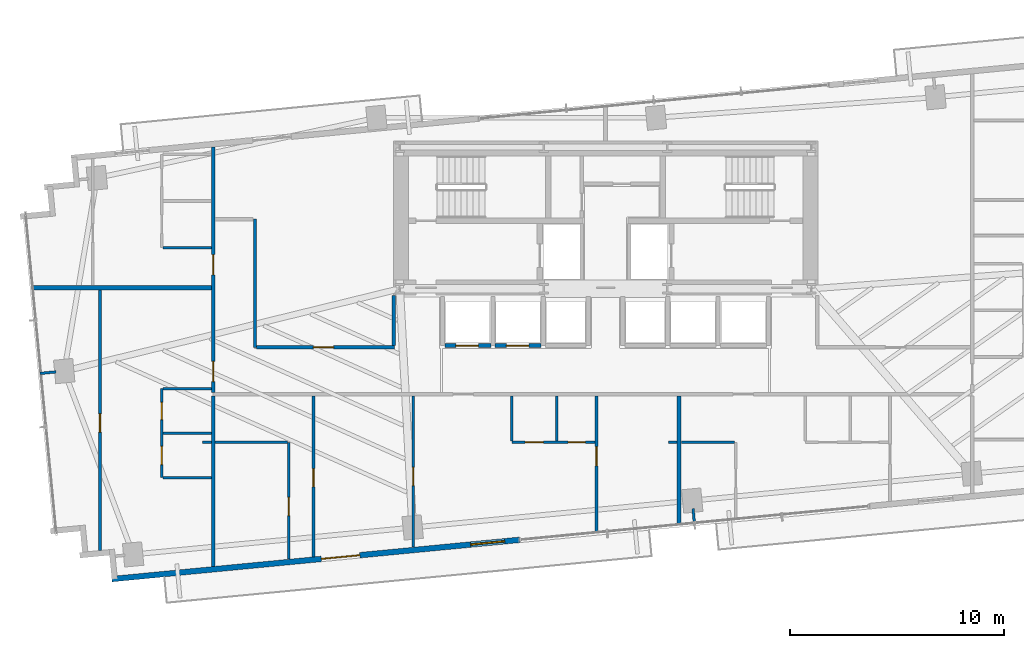
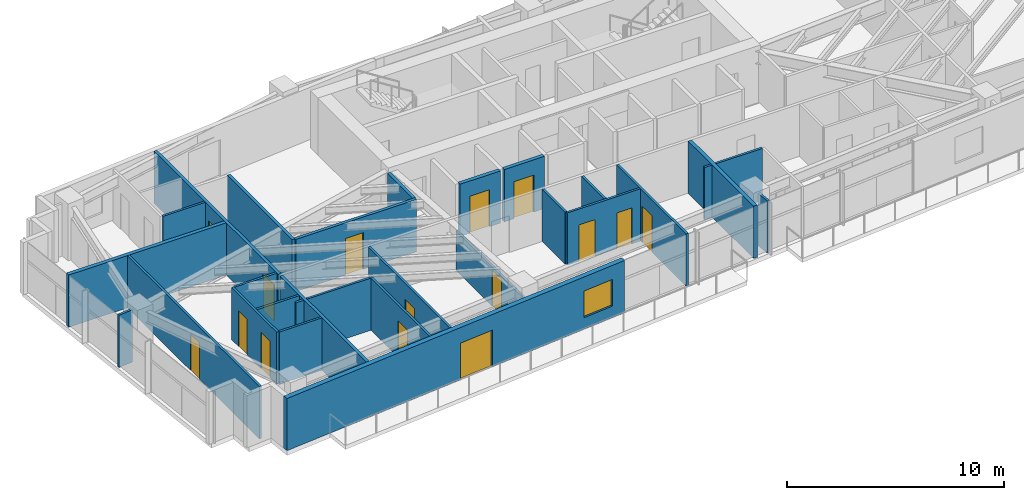
# One storey, part 21 of 27: 29 walls, 15 doors, 1 window, 16 openings.
"""IFC4 building model written with IfcOpenShell, lengths in metres."""

from ifc_helpers import new_model, si_unit, direction, frame, frame_2d, origin, place, context, subcontext, project, spatial, rectangle, extrude, source, transform, mapped, material, layer, layer_set, type_object, type_shapes, element, fill, save


model = new_model("IFC4")

# Units and contexts
model_context = context("Model", 3, precision=1e-05, world=origin(), true_north=direction((0.0, 1.0)))
body_context = subcontext(model_context, "Body", "Model", "MODEL_VIEW")
ifc_project = project(units=[si_unit("LENGTHUNIT", "METRE"), si_unit("AREAUNIT", "SQUARE_METRE"), si_unit("VOLUMEUNIT", "CUBIC_METRE"), si_unit("PLANEANGLEUNIT", "RADIAN"), si_unit("MASSUNIT", "GRAM", prefix="KILO")], contexts=[model_context])

# Site, building, storey
site_placement = place(None, origin())
site = spatial("IfcSite", under=ifc_project, at=site_placement, CompositionType="ELEMENT")
building_placement = place(site_placement, origin())
building = spatial("IfcBuilding", under=site, at=building_placement, Name="Astriad Promenade Condominiums", CompositionType="ELEMENT")
storey_placement = place(building_placement, frame((0.0, 0.0, 90.60009765625)))
storey = spatial("IfcBuildingStorey", under=building, at=storey_placement, Name="L25", CompositionType="ELEMENT", Elevation=90.60009765625)

# Wall
ifc_material_1 = material(Name="Fire-Rated Gypsum Partition")
ifc_layer_1 = layer(ifc_material_1, 0.159912109375)
ifc_layer_set_1 = layer_set([ifc_layer_1], Name="Fire-Rated Gypsum Partition")
wall_type_1 = type_object("IfcWallType", Name="WALL-CORR-160", PredefinedType="PARTITIONING", material=ifc_layer_set_1)
wall_1_placement = place(storey_placement, frame((17.699951171875, 4.44677734375, 0.0), z_axis=(0.0, 0.0, 1.0), x_axis=(0.0, 1.0, 0.0)))
element("IfcWall", 1, at=wall_1_placement, inside=storey, type_object=wall_type_1, Name="PT-COR-W-L25", PredefinedType="PARTITIONING", context=body_context, shape_type="SweptSolid", body=[
    extrude(rectangle(XDim=7.961181640625, YDim=0.159912109375, at=frame_2d((3.98046875, 0.0))), origin(), (0.0, 0.0, 1.0), 2.93994140625),
])

# Wall, openings, doors
wall_2_placement = place(storey_placement, frame((17.699951171875, 12.572021484375, 0.0), z_axis=(0.0, 0.0, 1.0), x_axis=(0.0, 1.0, 0.0)))
wall_2 = element("IfcWall", 2, at=wall_2_placement, inside=storey, type_object=wall_type_1, Name="PT-COR-W-L25-S2", PredefinedType="PARTITIONING", context=body_context, shape_type="SweptSolid", body=[
    extrude(rectangle(XDim=11.440673828125, YDim=0.159912109375, at=frame_2d((5.72021484375, 0.0))), origin(), (0.0, 0.0, 1.0), 2.93994140625),
])
opening_1_placement = place(wall_2_placement, frame((0.492919921875, 0.0, 0.0)))
opening_1 = element("IfcOpeningElement", 3, at=opening_1_placement, cuts=wall_2, Name="Opening FD60-APT-095", PredefinedType="OPENING", context=body_context, shape_type="SweptSolid", body=[
    extrude(rectangle(XDim=0.949951171875, YDim=2.06005859375, at=frame_2d((0.47509765625, 1.030029296875))), frame((0.0, 0.08984375, 0.0), z_axis=(0.0, -1.0, 0.0), x_axis=(1.0, 0.0, 0.0)), (0.0, 0.0, 1.0), 0.179931640625),
])
opening_2_placement = place(wall_2_placement, frame((5.472900390625, 0.0, 0.0)))
opening_2 = element("IfcOpeningElement", 4, at=opening_2_placement, cuts=wall_2, Name="Opening FD60-APT-095", PredefinedType="OPENING", context=body_context, shape_type="SweptSolid", body=[
    extrude(rectangle(XDim=0.949951171875, YDim=2.06005859375, at=frame_2d((0.47509765625, 1.030029296875))), frame((0.0, 0.08984375, 0.0), z_axis=(0.0, -1.0, 0.0), x_axis=(1.0, 0.0, 0.0)), (0.0, 0.0, 1.0), 0.179931640625),
])
ifc_material_2 = material(Name="Solid-Core Acoustic Timber Residence Entry Door", Category="wood")
door_type_1 = type_object("IfcDoorType", Name="FD60-APT-095", OperationType="NOTDEFINED", PredefinedType="DOOR", material=ifc_material_2)
shared_shape_1 = source(origin(), body_context, "Body", "SweptSolid", [
    extrude(rectangle(XDim=0.949951171875, YDim=2.06005859375, at=frame_2d((0.47509765625, 1.030029296875))), frame((0.0, 0.02490234375, 0.0), z_axis=(0.0, -1.0, 0.0), x_axis=(1.0, 0.0, 0.0)), (0.0, 0.0, 1.0), 0.050048828125),
])
type_shapes(door_type_1, [shared_shape_1])
door_1_placement = place(opening_1_placement, origin())
door_1 = element("IfcDoor", 5, at=door_1_placement, inside=storey, type_object=door_type_1, Name="D-ENT-L25-W1", OperationType="SINGLE_SWING_RIGHT", OverallHeight=2.06005859375, OverallWidth=0.949951171875, PredefinedType="DOOR", context=body_context, shape_type="MappedRepresentation", body=[
    mapped(shared_shape_1, transform((0.0, 0.0, 0.0), scale=1.0)),
])
fill(opening_1, door_1)
door_2_placement = place(opening_2_placement, origin())
door_2 = element("IfcDoor", 6, at=door_2_placement, inside=storey, type_object=door_type_1, Name="D-ENT-L25-W2", OperationType="SINGLE_SWING_RIGHT", OverallHeight=2.06005859375, OverallWidth=0.949951171875, PredefinedType="DOOR", context=body_context, shape_type="MappedRepresentation", body=[
    mapped(shared_shape_1, transform((0.0, 0.0, 0.0), scale=1.0)),
])
fill(opening_2, door_2)

# Wall
wall_3_placement = place(storey_placement, frame((19.64990234375, 14.659912109375, 0.0), z_axis=(0.0, 0.0, 1.0), x_axis=(0.0, 1.0, 0.0)))
element("IfcWall", 7, at=wall_3_placement, inside=storey, type_object=wall_type_1, Name="PT-WALC-E-L25", PredefinedType="PARTITIONING", context=body_context, shape_type="SweptSolid", body=[
    extrude(rectangle(XDim=5.989990234375, YDim=0.159912109375, at=frame_2d((2.9951171875, 0.0))), origin(), (0.0, 0.0, 1.0), 2.93994140625),
])

# Wall, opening, door
wall_4_placement = place(storey_placement, frame((19.73193359375, 14.679931640625, 0.0), z_axis=(0.0, 0.0, 1.0), x_axis=(1.0, 0.0, 0.0)))
wall_4 = element("IfcWall", 8, at=wall_4_placement, inside=storey, type_object=wall_type_1, Name="PT-FLK-NW-L25", PredefinedType="PARTITIONING", context=body_context, shape_type="SweptSolid", body=[
    extrude(rectangle(XDim=6.427978515625, YDim=0.159912109375, at=frame_2d((3.2138671875, 0.0))), origin(), (0.0, 0.0, 1.0), 2.93994140625),
])
opening_3_placement = place(wall_4_placement, frame((2.637939453125, 0.0, 0.0)))
opening_3 = element("IfcOpeningElement", 9, at=opening_3_placement, cuts=wall_4, Name="Opening FD60-APT-095", PredefinedType="OPENING", context=body_context, shape_type="SweptSolid", body=[
    extrude(rectangle(XDim=0.949951171875, YDim=2.06005859375, at=frame_2d((0.47509765625, 1.030029296875))), frame((0.0, 0.08984375, 0.0), z_axis=(0.0, -1.0, 0.0), x_axis=(1.0, 0.0, 0.0)), (0.0, 0.0, 1.0), 0.179931640625),
])
door_3_placement = place(opening_3_placement, origin())
door_3 = element("IfcDoor", 10, at=door_3_placement, inside=storey, type_object=door_type_1, Name="D-NWA-L25", OperationType="SINGLE_SWING_RIGHT", OverallHeight=2.06005859375, OverallWidth=0.949951171875, PredefinedType="DOOR", context=body_context, shape_type="MappedRepresentation", body=[
    mapped(shared_shape_1, transform((0.0, 0.0, 0.0), scale=1.0)),
])
fill(opening_3, door_3)

# Walls
wall_5_placement = place(storey_placement, frame((26.1201171875, 14.761962890625, 0.0), z_axis=(0.0, 0.0, 1.0), x_axis=(0.0, 1.0, 0.0)))
element("IfcWall", 11, at=wall_5_placement, inside=storey, type_object=wall_type_1, Name="PT-WSPUR-W-L25", PredefinedType="PARTITIONING", context=body_context, shape_type="SweptSolid", body=[
    extrude(rectangle(XDim=2.3359375, YDim=0.159912109375, at=frame_2d((1.16796875, 0.0))), origin(), (0.0, 0.0, 1.0), 2.93994140625),
])
ifc_material_3 = material(Name="Acoustic Double-Stud Gypsum Partition")
ifc_layer_2 = layer(ifc_material_3, 0.199951171875)
ifc_layer_set_2 = layer_set([ifc_layer_2], Name="Acoustic Double-Stud Gypsum Partition")
wall_type_2 = type_object("IfcWallType", Name="WALL-DEMISING-200", PredefinedType="PARTITIONING", material=ifc_layer_set_2)
wall_6_placement = place(storey_placement, frame((39.430908203125, 6.356201171875, 0.0), z_axis=(0.0, 0.0, 1.0), x_axis=(0.0, 1.0, 0.0)))
element("IfcWall", 12, at=wall_6_placement, inside=storey, type_object=wall_type_2, Name="PT-DEM-S1-L25", PredefinedType="PARTITIONING", context=body_context, shape_type="SweptSolid", body=[
    extrude(rectangle(XDim=6.0517578125, YDim=0.199951171875, at=frame_2d((3.02587890625, 0.0))), origin(), (0.0, 0.0, 1.0), 2.93994140625),
])
wall_7_placement = place(storey_placement, frame((9.231689453125, 17.449951171875, 0.0), z_axis=(0.0, 0.0, 1.0), x_axis=(1.0, 0.0, 0.0)))
element("IfcWall", 13, at=wall_7_placement, inside=storey, type_object=wall_type_2, Name="PT-DEM-WW-L25", PredefinedType="PARTITIONING", context=body_context, shape_type="SweptSolid", body=[
    extrude(rectangle(XDim=8.38623046875, YDim=0.199951171875, at=frame_2d((4.193115234375, 0.0))), origin(), (0.0, 0.0, 1.0), 2.93994140625),
])

# Wall, openings, door, window
ifc_material_4 = material(Name="Precast concrete C50/60", Category="concrete")
ifc_layer_3 = layer(ifc_material_4, 0.260009765625)
ifc_layer_set_3 = layer_set([ifc_layer_3], Name="Precast concrete C50/60")
wall_type_3 = type_object("IfcWallType", Name="WALL-EXT-TWR-260", PredefinedType="STANDARD", material=ifc_layer_set_3)
wall_8_placement = place(storey_placement, frame((31.99365234375, 5.6904296875, 0.0), z_axis=(0.0, 0.0, 1.0), x_axis=(-0.995396521236, -0.095842399342, 0.0)))
wall_8 = element("IfcWall", 14, at=wall_8_placement, inside=storey, type_object=wall_type_3, Name="W-EXT-L25-S2", PredefinedType="STANDARD", context=body_context, shape_type="SweptSolid", body=[
    extrude(rectangle(XDim=19.10986328125, YDim=0.260009765625, at=frame_2d((9.554931640625, 0.0))), origin(), (0.0, 0.0, 1.0), 2.93994140625),
])
opening_4_placement = place(wall_8_placement, frame((7.489990234375, 0.0, 0.0)))
opening_4 = element("IfcOpeningElement", 15, at=opening_4_placement, cuts=wall_8, Name="Opening BD-1822-SLD", PredefinedType="OPENING", context=body_context, shape_type="SweptSolid", body=[
    extrude(rectangle(XDim=1.800048828125, YDim=2.06005859375, at=frame_2d((0.89990234375, 1.030029296875))), frame((0.0, 0.139892578125, 0.0), z_axis=(0.0, -1.0, 0.0), x_axis=(1.0, 0.0, 0.0)), (0.0, 0.0, 1.0), 0.280029296875),
])
opening_5_placement = place(wall_8_placement, frame((0.699951171875, 0.0, 0.64990234375)))
opening_5 = element("IfcOpeningElement", 16, at=opening_5_placement, cuts=wall_8, Name="Opening WIN-TWR-1620", PredefinedType="OPENING", context=body_context, shape_type="SweptSolid", body=[
    extrude(rectangle(XDim=1.60009765625, YDim=1.5, at=frame_2d((0.800048828125, 0.75))), frame((0.0, 0.139892578125, 0.0), z_axis=(0.0, -1.0, 0.0), x_axis=(1.0, 0.0, 0.0)), (0.0, 0.0, 1.0), 0.280029296875),
])
ifc_material_5 = material(Name="Thermally Broken Aluminium Sliding Balcony Door", Category="aluminium")
door_type_2 = type_object("IfcDoorType", Name="BD-1822-SLD", OperationType="NOTDEFINED", PredefinedType="DOOR", material=ifc_material_5)
shared_shape_2 = source(origin(), body_context, "Body", "SweptSolid", [
    extrude(rectangle(XDim=1.800048828125, YDim=2.06005859375, at=frame_2d((0.89990234375, 1.030029296875))), frame((0.0, 0.02490234375, 0.0), z_axis=(0.0, -1.0, 0.0), x_axis=(1.0, 0.0, 0.0)), (0.0, 0.0, 1.0), 0.050048828125),
])
type_shapes(door_type_2, [shared_shape_2])
door_4_placement = place(opening_4_placement, origin())
door_4 = element("IfcDoor", 17, at=door_4_placement, inside=storey, type_object=door_type_2, Name="BD-L25-SW", OperationType="SLIDING_TO_LEFT", OverallHeight=2.06005859375, OverallWidth=1.800048828125, PredefinedType="DOOR", context=body_context, shape_type="MappedRepresentation", body=[
    mapped(shared_shape_2, transform((0.0, 0.0, 0.0), scale=1.0)),
])
fill(opening_4, door_4)
ifc_material_6 = material(Name="Dark Tinted Triple-Glazed Aluminium Window", Category="aluminium")
window_type = type_object("IfcWindowType", Name="WIN-TWR-1620", PartitioningType="SINGLE_PANEL", PredefinedType="WINDOW", material=ifc_material_6)
shared_shape_3 = source(origin(), body_context, "Body", "SweptSolid", [
    extrude(rectangle(XDim=1.60009765625, YDim=1.5, at=frame_2d((0.800048828125, 0.75))), frame((0.0, 0.030029296875, 0.0), z_axis=(0.0, -1.0, 0.0), x_axis=(1.0, 0.0, 0.0)), (0.0, 0.0, 1.0), 0.06005859375),
])
type_shapes(window_type, [shared_shape_3])
window_placement = place(opening_5_placement, origin())
window = element("IfcWindow", 18, at=window_placement, inside=storey, type_object=window_type, Name="WIN-L25-SW", OverallHeight=1.5, OverallWidth=1.60009765625, PartitioningType="SINGLE_PANEL", PredefinedType="WINDOW", context=body_context, shape_type="MappedRepresentation", body=[
    mapped(shared_shape_3, transform((0.0, 0.0, 0.0), scale=1.0)),
])
fill(opening_5, window)

# Wall, opening, door
ifc_material_7 = material(Name="Acoustic Metal-Stud Gypsum Partition")
ifc_layer_4 = layer(ifc_material_7, 0.1201171875)
ifc_layer_set_4 = layer_set([ifc_layer_4], Name="Acoustic Metal-Stud Gypsum Partition")
wall_type_4 = type_object("IfcWallType", Name="WALL-PART-120", PredefinedType="PARTITIONING", material=ifc_layer_set_4)
wall_9_placement = place(storey_placement, frame((35.5810546875, 5.985595703125, 0.0), z_axis=(0.0, 0.0, 1.0), x_axis=(0.0, 1.0, 0.0)))
wall_9 = element("IfcWall", 19, at=wall_9_placement, inside=storey, type_object=wall_type_4, Name="PT-L25-S1-BD1", PredefinedType="PARTITIONING", context=body_context, shape_type="SweptSolid", body=[
    extrude(rectangle(XDim=6.42236328125, YDim=0.1201171875, at=frame_2d((3.211181640625, 0.0))), origin(), (0.0, 0.0, 1.0), 2.93994140625),
])
opening_6_placement = place(wall_9_placement, frame((3.154296875, 0.0, 0.0)))
opening_6 = element("IfcOpeningElement", 20, at=opening_6_placement, cuts=wall_9, Name="Opening D-INT-090", PredefinedType="OPENING", context=body_context, shape_type="SweptSolid", body=[
    extrude(rectangle(XDim=0.89990234375, YDim=2.050048828125, at=frame_2d((0.449951171875, 1.02490234375))), frame((0.0, 0.070068359375, 0.0), z_axis=(0.0, -1.0, 0.0), x_axis=(1.0, 0.0, 0.0)), (0.0, 0.0, 1.0), 0.14013671875),
])
ifc_material_8 = material(Name="Painted Solid-Core Timber Bedroom Door", Category="wood")
door_type_3 = type_object("IfcDoorType", Name="D-INT-090", OperationType="NOTDEFINED", PredefinedType="DOOR", material=ifc_material_8)
shared_shape_4 = source(origin(), body_context, "Body", "SweptSolid", [
    extrude(rectangle(XDim=0.89990234375, YDim=2.050048828125, at=frame_2d((0.449951171875, 1.02490234375))), frame((0.0, 0.02490234375, 0.0), z_axis=(0.0, -1.0, 0.0), x_axis=(1.0, 0.0, 0.0)), (0.0, 0.0, 1.0), 0.050048828125),
])
type_shapes(door_type_3, [shared_shape_4])
door_5_placement = place(opening_6_placement, origin())
door_5 = element("IfcDoor", 21, at=door_5_placement, inside=storey, type_object=door_type_3, Name="D-BD1-L25-S1", OperationType="SINGLE_SWING_RIGHT", OverallHeight=2.050048828125, OverallWidth=0.89990234375, PredefinedType="DOOR", context=body_context, shape_type="MappedRepresentation", body=[
    mapped(shared_shape_4, transform((0.0, 0.0, 0.0), scale=1.0)),
])
fill(opening_6, door_5)

# Wall, openings, doors
wall_10_placement = place(storey_placement, frame((31.631103515625, 10.239990234375, 0.0), z_axis=(0.0, 0.0, 1.0), x_axis=(1.0, 0.0, 0.0)))
wall_10 = element("IfcWall", 22, at=wall_10_placement, inside=storey, type_object=wall_type_4, Name="PT-L25-S1-PS", PredefinedType="PARTITIONING", context=body_context, shape_type="SweptSolid", body=[
    extrude(rectangle(XDim=3.887939453125, YDim=0.1201171875, at=frame_2d((1.94384765625, 0.0))), origin(), (0.0, 0.0, 1.0), 2.93994140625),
])
opening_7_placement = place(wall_10_placement, frame((0.625, 0.0, 0.0)))
opening_7 = element("IfcOpeningElement", 23, at=opening_7_placement, cuts=wall_10, Name="Opening D-INT-085", PredefinedType="OPENING", context=body_context, shape_type="SweptSolid", body=[
    extrude(rectangle(XDim=0.85009765625, YDim=2.050048828125, at=frame_2d((0.425048828125, 1.02490234375))), frame((0.0, 0.070068359375, 0.0), z_axis=(0.0, -1.0, 0.0), x_axis=(1.0, 0.0, 0.0)), (0.0, 0.0, 1.0), 0.14013671875),
])
opening_8_placement = place(wall_10_placement, frame((2.625, 0.0, 0.0)))
opening_8 = element("IfcOpeningElement", 24, at=opening_8_placement, cuts=wall_10, Name="Opening D-WET-080", PredefinedType="OPENING", context=body_context, shape_type="SweptSolid", body=[
    extrude(rectangle(XDim=0.800048828125, YDim=2.02001953125, at=frame_2d((0.39990234375, 1.010009765625))), frame((0.0, 0.070068359375, 0.0), z_axis=(0.0, -1.0, 0.0), x_axis=(1.0, 0.0, 0.0)), (0.0, 0.0, 1.0), 0.14013671875),
])
ifc_material_9 = material(Name="Moisture-Resistant Timber Bathroom Door", Category="wood")
door_type_4 = type_object("IfcDoorType", Name="D-WET-080", OperationType="NOTDEFINED", PredefinedType="DOOR", material=ifc_material_9)
shared_shape_5 = source(origin(), body_context, "Body", "SweptSolid", [
    extrude(rectangle(XDim=0.800048828125, YDim=2.02001953125, at=frame_2d((0.39990234375, 1.010009765625))), frame((0.0, 0.02490234375, 0.0), z_axis=(0.0, -1.0, 0.0), x_axis=(1.0, 0.0, 0.0)), (0.0, 0.0, 1.0), 0.050048828125),
])
type_shapes(door_type_4, [shared_shape_5])
door_6_placement = place(opening_8_placement, origin())
door_6 = element("IfcDoor", 25, at=door_6_placement, inside=storey, type_object=door_type_4, Name="D-BTH-L25-S1", OperationType="SINGLE_SWING_RIGHT", OverallHeight=2.02001953125, OverallWidth=0.800048828125, PredefinedType="DOOR", context=body_context, shape_type="MappedRepresentation", body=[
    mapped(shared_shape_5, transform((0.0, 0.0, 0.0), scale=1.0)),
])
fill(opening_8, door_6)
ifc_material_10 = material(Name="Painted Solid-Core Timber Room Door", Category="wood")
door_type_5 = type_object("IfcDoorType", Name="D-INT-085", OperationType="NOTDEFINED", PredefinedType="DOOR", material=ifc_material_10)
shared_shape_6 = source(origin(), body_context, "Body", "SweptSolid", [
    extrude(rectangle(XDim=0.85009765625, YDim=2.050048828125, at=frame_2d((0.425048828125, 1.02490234375))), frame((0.0, 0.02490234375, 0.0), z_axis=(0.0, -1.0, 0.0), x_axis=(1.0, 0.0, 0.0)), (0.0, 0.0, 1.0), 0.050048828125),
])
type_shapes(door_type_5, [shared_shape_6])
door_7_placement = place(opening_7_placement, origin())
door_7 = element("IfcDoor", 26, at=door_7_placement, inside=storey, type_object=door_type_5, Name="D-KIT-L25-S1", OperationType="SINGLE_SWING_LEFT", OverallHeight=2.050048828125, OverallWidth=0.85009765625, PredefinedType="DOOR", context=body_context, shape_type="MappedRepresentation", body=[
    mapped(shared_shape_6, transform((0.0, 0.0, 0.0), scale=1.0)),
])
fill(opening_7, door_7)

# Walls
for number, where, z_axis, x_axis, name in (
    (27, (33.73095703125, 10.302001953125, 0.0), (0.0, 0.0, 1.0), (0.0, 1.0, 0.0), "PT-L25-S1-PBK"),
    (28, (31.631103515625, 10.302001953125, 0.0), (0.0, 0.0, 1.0), (0.0, 1.0, 0.0), "PT-L25-S1-PKW"),
):
    element("IfcWall", number, at=place(storey_placement, frame(where, z_axis=z_axis, x_axis=x_axis)), inside=storey, type_object=wall_type_4, Name=name, PredefinedType="PARTITIONING", context=body_context, shape_type="SweptSolid", body=[
        extrude(rectangle(XDim=2.10595703125, YDim=0.1201171875, at=frame_2d((1.052978515625, 0.0))), origin(), (0.0, 0.0, 1.0), 2.93994140625),
    ])

# Wall, opening, door
wall_11_placement = place(storey_placement, frame((21.22998046875, 4.78662109375, 0.0), z_axis=(0.0, 0.0, 1.0), x_axis=(0.0, 1.0, 0.0)))
wall_11 = element("IfcWall", 29, at=wall_11_placement, inside=storey, type_object=wall_type_4, Name="PT-L25-S1-EXV", PredefinedType="PARTITIONING", context=body_context, shape_type="SweptSolid", body=[
    extrude(rectangle(XDim=5.453369140625, YDim=0.1201171875, at=frame_2d((2.7265625, 0.0))), origin(), (0.0, 0.0, 1.0), 2.93994140625),
])
opening_9_placement = place(wall_11_placement, frame((2.034423828125, 0.0, 0.0)))
opening_9 = element("IfcOpeningElement", 30, at=opening_9_placement, cuts=wall_11, Name="Opening D-INT-085", PredefinedType="OPENING", context=body_context, shape_type="SweptSolid", body=[
    extrude(rectangle(XDim=0.85009765625, YDim=2.050048828125, at=frame_2d((0.425048828125, 1.02490234375))), frame((0.0, 0.070068359375, 0.0), z_axis=(0.0, -1.0, 0.0), x_axis=(1.0, 0.0, 0.0)), (0.0, 0.0, 1.0), 0.14013671875),
])
door_8_placement = place(opening_9_placement, origin())
door_8 = element("IfcDoor", 31, at=door_8_placement, inside=storey, type_object=door_type_5, Name="D-EX-L25-S1", OperationType="SINGLE_SWING_RIGHT", OverallHeight=2.050048828125, OverallWidth=0.85009765625, PredefinedType="DOOR", context=body_context, shape_type="MappedRepresentation", body=[
    mapped(shared_shape_6, transform((0.0, 0.0, 0.0), scale=1.0)),
])
fill(opening_9, door_8)

# Walls
wall_12_placement = place(storey_placement, frame((17.199951171875, 10.239990234375, 0.0), z_axis=(0.0, 0.0, 1.0), x_axis=(1.0, 0.0, 0.0)))
element("IfcWall", 32, at=wall_12_placement, inside=storey, type_object=wall_type_4, Name="PT-L25-S1-EXH", PredefinedType="PARTITIONING", context=body_context, shape_type="SweptSolid", body=[
    extrude(rectangle(XDim=0.41796875, YDim=0.1201171875, at=frame_2d((0.208984375, 0.0))), origin(), (0.0, 0.0, 1.0), 2.93994140625),
])
wall_13_placement = place(storey_placement, frame((17.781982421875, 10.239990234375, 0.0), z_axis=(0.0, 0.0, 1.0), x_axis=(1.0, 0.0, 0.0)))
element("IfcWall", 33, at=wall_13_placement, inside=storey, type_object=wall_type_4, Name="PT-L25-S1-EXH-S2", PredefinedType="PARTITIONING", context=body_context, shape_type="SweptSolid", body=[
    extrude(rectangle(XDim=3.385986328125, YDim=0.1201171875, at=frame_2d((1.69287109375, 0.0))), origin(), (0.0, 0.0, 1.0), 2.93994140625),
])

# Wall, opening, door
wall_14_placement = place(storey_placement, frame((22.3798828125, 4.897216796875, 0.0), z_axis=(0.0, 0.0, 1.0), x_axis=(0.0, 1.0, 0.0)))
wall_14 = element("IfcWall", 34, at=wall_14_placement, inside=storey, type_object=wall_type_4, Name="PT-L25-S1-CAP1", PredefinedType="PARTITIONING", context=body_context, shape_type="SweptSolid", body=[
    extrude(rectangle(XDim=7.5107421875, YDim=0.1201171875, at=frame_2d((3.75537109375, 0.0))), origin(), (0.0, 0.0, 1.0), 2.93994140625),
])
opening_10_placement = place(wall_14_placement, frame((3.267578125, 0.0, 0.0)))
opening_10 = element("IfcOpeningElement", 35, at=opening_10_placement, cuts=wall_14, Name="Opening D-INT-085", PredefinedType="OPENING", context=body_context, shape_type="SweptSolid", body=[
    extrude(rectangle(XDim=0.85009765625, YDim=2.050048828125, at=frame_2d((0.425048828125, 1.02490234375))), frame((0.0, 0.070068359375, 0.0), z_axis=(0.0, -1.0, 0.0), x_axis=(1.0, 0.0, 0.0)), (0.0, 0.0, 1.0), 0.14013671875),
])
door_9_placement = place(opening_10_placement, origin())
door_9 = element("IfcDoor", 36, at=door_9_placement, inside=storey, type_object=door_type_5, Name="D-CAP1-L25-S1", OperationType="SINGLE_SWING_LEFT", OverallHeight=2.050048828125, OverallWidth=0.85009765625, PredefinedType="DOOR", context=body_context, shape_type="MappedRepresentation", body=[
    mapped(shared_shape_6, transform((0.0, 0.0, 0.0), scale=1.0)),
])
fill(opening_10, door_9)

wall_15_placement = place(storey_placement, frame((27.0400390625, 5.345947265625, 0.0), z_axis=(0.0, 0.0, 1.0), x_axis=(0.0, 1.0, 0.0)))
wall_15 = element("IfcWall", 37, at=wall_15_placement, inside=storey, type_object=wall_type_4, Name="PT-L25-S1-CAP2", PredefinedType="PARTITIONING", context=body_context, shape_type="SweptSolid", body=[
    extrude(rectangle(XDim=7.06201171875, YDim=0.1201171875, at=frame_2d((3.531005859375, 0.0))), origin(), (0.0, 0.0, 1.0), 2.215576171875),
])
opening_11_placement = place(wall_15_placement, frame((2.8740234375, 0.0, 0.0)))
opening_11 = element("IfcOpeningElement", 38, at=opening_11_placement, cuts=wall_15, Name="Opening D-INT-085", PredefinedType="OPENING", context=body_context, shape_type="SweptSolid", body=[
    extrude(rectangle(XDim=0.85009765625, YDim=2.050048828125, at=frame_2d((0.425048828125, 1.02490234375))), frame((0.0, 0.070068359375, 0.0), z_axis=(0.0, -1.0, 0.0), x_axis=(1.0, 0.0, 0.0)), (0.0, 0.0, 1.0), 0.14013671875),
])
door_10_placement = place(opening_11_placement, origin())
door_10 = element("IfcDoor", 39, at=door_10_placement, inside=storey, type_object=door_type_5, Name="D-CAP2-L25-S1", OperationType="SINGLE_SWING_RIGHT", OverallHeight=2.050048828125, OverallWidth=0.85009765625, PredefinedType="DOOR", context=body_context, shape_type="MappedRepresentation", body=[
    mapped(shared_shape_6, transform((0.0, 0.0, 0.0), scale=1.0)),
])
fill(opening_11, door_10)

# Walls
wall_16_placement = place(storey_placement, frame((38.930908203125, 10.239990234375, 0.0), z_axis=(0.0, 0.0, 1.0), x_axis=(1.0, 0.0, 0.0)))
element("IfcWall", 40, at=wall_16_placement, inside=storey, type_object=wall_type_4, Name="PT-L25-S2-EXH", PredefinedType="PARTITIONING", context=body_context, shape_type="SweptSolid", body=[
    extrude(rectangle(XDim=0.398193359375, YDim=0.1201171875, at=frame_2d((0.19921875, 0.0))), origin(), (0.0, 0.0, 1.0), 2.93994140625),
])
wall_17_placement = place(storey_placement, frame((39.532958984375, 10.239990234375, 0.0), z_axis=(0.0, 0.0, 1.0), x_axis=(1.0, 0.0, 0.0)))
element("IfcWall", 41, at=wall_17_placement, inside=storey, type_object=wall_type_4, Name="PT-L25-S2-EXH-S2", PredefinedType="PARTITIONING", context=body_context, shape_type="SweptSolid", body=[
    extrude(rectangle(XDim=2.483154296875, YDim=0.1201171875, at=frame_2d((1.24169921875, 0.0))), origin(), (0.0, 0.0, 1.0), 2.93994140625),
])

# Wall, openings, doors
wall_18_placement = place(storey_placement, frame((15.300048828125, 8.590087890625, 0.0), z_axis=(0.0, 0.0, 1.0), x_axis=(0.0, 1.0, 0.0)))
wall_18 = element("IfcWall", 42, at=wall_18_placement, inside=storey, type_object=wall_type_4, Name="PT-L25-W1-PV", PredefinedType="PARTITIONING", context=body_context, shape_type="SweptSolid", body=[
    extrude(rectangle(XDim=4.14990234375, YDim=0.1201171875, at=frame_2d((2.074951171875, 0.0))), origin(), (0.0, 0.0, 1.0), 2.93994140625),
])
opening_12_placement = place(wall_18_placement, frame((0.612060546875, 0.0, 0.0)))
opening_12 = element("IfcOpeningElement", 43, at=opening_12_placement, cuts=wall_18, Name="Opening D-INT-085", PredefinedType="OPENING", context=body_context, shape_type="SweptSolid", body=[
    extrude(rectangle(XDim=0.85009765625, YDim=2.050048828125, at=frame_2d((0.425048828125, 1.02490234375))), frame((0.0, 0.070068359375, 0.0), z_axis=(0.0, -1.0, 0.0), x_axis=(1.0, 0.0, 0.0)), (0.0, 0.0, 1.0), 0.14013671875),
])
opening_13_placement = place(wall_18_placement, frame((2.712890625, 0.0, 0.0)))
opening_13 = element("IfcOpeningElement", 44, at=opening_13_placement, cuts=wall_18, Name="Opening D-WET-080", PredefinedType="OPENING", context=body_context, shape_type="SweptSolid", body=[
    extrude(rectangle(XDim=0.800048828125, YDim=2.02001953125, at=frame_2d((0.39990234375, 1.010009765625))), frame((0.0, 0.070068359375, 0.0), z_axis=(0.0, -1.0, 0.0), x_axis=(1.0, 0.0, 0.0)), (0.0, 0.0, 1.0), 0.14013671875),
])
door_11_placement = place(opening_13_placement, origin())
door_11 = element("IfcDoor", 45, at=door_11_placement, inside=storey, type_object=door_type_4, Name="D-BTH-L25-W1", OperationType="SINGLE_SWING_RIGHT", OverallHeight=2.02001953125, OverallWidth=0.800048828125, PredefinedType="DOOR", context=body_context, shape_type="MappedRepresentation", body=[
    mapped(shared_shape_5, transform((0.0, 0.0, 0.0), scale=1.0)),
])
fill(opening_13, door_11)
door_12_placement = place(opening_12_placement, origin())
door_12 = element("IfcDoor", 46, at=door_12_placement, inside=storey, type_object=door_type_5, Name="D-KIT-L25-W1", OperationType="SINGLE_SWING_LEFT", OverallHeight=2.050048828125, OverallWidth=0.85009765625, PredefinedType="DOOR", context=body_context, shape_type="MappedRepresentation", body=[
    mapped(shared_shape_6, transform((0.0, 0.0, 0.0), scale=1.0)),
])
fill(opening_12, door_12)

# Walls
for number, where, z_axis, x_axis, name in (
    (47, (15.362060546875, 10.6650390625, 0.0), (0.0, 0.0, 1.0), (1.0, 0.0, 0.0), "PT-L25-W1-PM"),
    (48, (15.362060546875, 8.590087890625, 0.0), (0.0, 0.0, 1.0), (1.0, 0.0, 0.0), "PT-L25-W1-PS"),
    (49, (15.362060546875, 12.739990234375, 0.0), (0.0, 0.0, 1.0), (1.0, 0.0, 0.0), "PT-L25-W1-PN"),
):
    element("IfcWall", number, at=place(storey_placement, frame(where, z_axis=z_axis, x_axis=x_axis)), inside=storey, type_object=wall_type_4, Name=name, PredefinedType="PARTITIONING", context=body_context, shape_type="SweptSolid", body=[
        extrude(rectangle(XDim=2.255859375, YDim=0.1201171875, at=frame_2d((1.1279296875, 0.0))), origin(), (0.0, 0.0, 1.0), 2.93994140625),
    ])

# Wall, opening, door
wall_19_placement = place(storey_placement, frame((12.4208984375, 5.194091796875, 0.0), z_axis=(0.0, 0.0, 1.0), x_axis=(0.0, 1.0, 0.0)))
wall_19 = element("IfcWall", 50, at=wall_19_placement, inside=storey, type_object=wall_type_4, Name="PT-L25-W1-B1", PredefinedType="PARTITIONING", context=body_context, shape_type="SweptSolid", body=[
    extrude(rectangle(XDim=12.15380859375, YDim=0.1201171875, at=frame_2d((6.076904296875, 0.0))), origin(), (0.0, 0.0, 1.0), 2.93994140625),
])
opening_14_placement = place(wall_19_placement, frame((5.515869140625, 0.0, 0.0)))
opening_14 = element("IfcOpeningElement", 51, at=opening_14_placement, cuts=wall_19, Name="Opening D-INT-085", PredefinedType="OPENING", context=body_context, shape_type="SweptSolid", body=[
    extrude(rectangle(XDim=0.85009765625, YDim=2.050048828125, at=frame_2d((0.425048828125, 1.02490234375))), frame((0.0, 0.070068359375, 0.0), z_axis=(0.0, -1.0, 0.0), x_axis=(1.0, 0.0, 0.0)), (0.0, 0.0, 1.0), 0.14013671875),
])
door_13_placement = place(opening_14_placement, origin())
door_13 = element("IfcDoor", 52, at=door_13_placement, inside=storey, type_object=door_type_5, Name="D-BD1-L25-W1", OperationType="SINGLE_SWING_LEFT", OverallHeight=2.050048828125, OverallWidth=0.85009765625, PredefinedType="DOOR", context=body_context, shape_type="MappedRepresentation", body=[
    mapped(shared_shape_6, transform((0.0, 0.0, 0.0), scale=1.0)),
])
fill(opening_14, door_13)

# Walls
wall_20_placement = place(storey_placement, frame((15.362060546875, 19.320068359375, 0.0), z_axis=(0.0, 0.0, 1.0), x_axis=(1.0, 0.0, 0.0)))
element("IfcWall", 53, at=wall_20_placement, inside=storey, type_object=wall_type_4, Name="PT-L25-W2-PS", PredefinedType="PARTITIONING", context=body_context, shape_type="SweptSolid", body=[
    extrude(rectangle(XDim=2.255859375, YDim=0.1201171875, at=frame_2d((1.1279296875, 0.0))), origin(), (0.0, 0.0, 1.0), 2.93994140625),
])
wall_21_placement = place(storey_placement, frame((40.081787109375, 7.142333984375, 0.0), z_axis=(0.0, 0.0, 1.0), x_axis=(0.095944965663, -0.995386640238, 0.0)))
element("IfcWall", 54, at=wall_21_placement, inside=storey, type_object=wall_type_4, Name="PT-PIL-L25-PC03-10", PredefinedType="PARTITIONING", context=body_context, shape_type="SweptSolid", body=[
    extrude(rectangle(XDim=0.72021484375, YDim=0.1201171875, at=frame_2d((0.360107421875, 0.0))), origin(), (0.0, 0.0, 1.0), 2.93994140625),
])
wall_22_placement = place(storey_placement, frame((10.373291015625, 13.5244140625, 0.0), z_axis=(0.0, 0.0, 1.0), x_axis=(-0.995377786728, -0.096036772582, 0.0)))
element("IfcWall", 55, at=wall_22_placement, inside=storey, type_object=wall_type_4, Name="PT-PIL-L25-PC11-18", PredefinedType="PARTITIONING", context=body_context, shape_type="SweptSolid", body=[
    extrude(rectangle(XDim=0.760009765625, YDim=0.1201171875, at=frame_2d((0.3798828125, 0.0))), origin(), (0.0, 0.0, 1.0), 2.93994140625),
])

# Wall, opening, door
ifc_material_11 = material(Name="Gypsum Shaftliner Assembly")
ifc_layer_5 = layer(ifc_material_11, 0.199951171875)
ifc_layer_set_5 = layer_set([ifc_layer_5], Name="Gypsum Shaftliner Assembly")
wall_type_5 = type_object("IfcWallType", Name="WALL-SHAFT-200", PredefinedType="PARTITIONING", material=ifc_layer_set_5)
wall_23_placement = place(storey_placement, frame((28.501953125, 14.75, 0.0), z_axis=(0.0, 0.0, 1.0), x_axis=(1.0, 0.0, 0.0)))
wall_23 = element("IfcWall", 56, at=wall_23_placement, inside=storey, type_object=wall_type_5, Name="PL-L-FRT-L25", PredefinedType="PARTITIONING", context=body_context, shape_type="SweptSolid", body=[
    extrude(rectangle(XDim=2.14599609375, YDim=0.199951171875, at=frame_2d((1.072998046875, 0.0))), origin(), (0.0, 0.0, 1.0), 2.93994140625),
])
opening_15_placement = place(wall_23_placement, frame((0.52294921875, 0.0, 0.0)))
opening_15 = element("IfcOpeningElement", 57, at=opening_15_placement, cuts=wall_23, Name="Opening LD-PL-10522", PredefinedType="OPENING", context=body_context, shape_type="SweptSolid", body=[
    extrude(rectangle(XDim=1.050048828125, YDim=2.080078125, at=frame_2d((0.52490234375, 1.0400390625))), frame((0.0, 0.10986328125, 0.0), z_axis=(0.0, -1.0, 0.0), x_axis=(1.0, 0.0, 0.0)), (0.0, 0.0, 1.0), 0.219970703125),
])
ifc_material_12 = material(Name="Brushed Bronze Passenger Elevator Landing Door")
door_type_6 = type_object("IfcDoorType", Name="LD-PL-10522", OperationType="NOTDEFINED", PredefinedType="DOOR", material=ifc_material_12)
shared_shape_7 = source(origin(), body_context, "Body", "SweptSolid", [
    extrude(rectangle(XDim=1.050048828125, YDim=2.080078125, at=frame_2d((0.52490234375, 1.0400390625))), frame((0.0, 0.02490234375, 0.0), z_axis=(0.0, -1.0, 0.0), x_axis=(1.0, 0.0, 0.0)), (0.0, 0.0, 1.0), 0.050048828125),
])
type_shapes(door_type_6, [shared_shape_7])
door_14_placement = place(opening_15_placement, origin())
door_14 = element("IfcDoor", 58, at=door_14_placement, inside=storey, type_object=door_type_6, Name="Elevator Landing Door PL-L1 (L25)", OperationType="SLIDING_TO_LEFT", OverallHeight=2.080078125, OverallWidth=1.050048828125, PredefinedType="DOOR", context=body_context, shape_type="MappedRepresentation", body=[
    mapped(shared_shape_7, transform((0.0, 0.0, 0.0), scale=1.0)),
])
fill(opening_15, door_14)

wall_24_placement = place(storey_placement, frame((30.85205078125, 14.75, 0.0), z_axis=(0.0, 0.0, 1.0), x_axis=(1.0, 0.0, 0.0)))
wall_24 = element("IfcWall", 59, at=wall_24_placement, inside=storey, type_object=wall_type_5, Name="PL-L-FRT-L25-S2", PredefinedType="PARTITIONING", context=body_context, shape_type="SweptSolid", body=[
    extrude(rectangle(XDim=2.14599609375, YDim=0.199951171875, at=frame_2d((1.072998046875, 0.0))), origin(), (0.0, 0.0, 1.0), 2.93994140625),
])
opening_16_placement = place(wall_24_placement, frame((0.52294921875, 0.0, 0.0)))
opening_16 = element("IfcOpeningElement", 60, at=opening_16_placement, cuts=wall_24, Name="Opening LD-PL-10522", PredefinedType="OPENING", context=body_context, shape_type="SweptSolid", body=[
    extrude(rectangle(XDim=1.050048828125, YDim=2.080078125, at=frame_2d((0.52490234375, 1.0400390625))), frame((0.0, 0.10986328125, 0.0), z_axis=(0.0, -1.0, 0.0), x_axis=(1.0, 0.0, 0.0)), (0.0, 0.0, 1.0), 0.219970703125),
])
door_15_placement = place(opening_16_placement, origin())
door_15 = element("IfcDoor", 61, at=door_15_placement, inside=storey, type_object=door_type_6, Name="Elevator Landing Door PL-L2 (L25)", OperationType="SLIDING_TO_RIGHT", OverallHeight=2.080078125, OverallWidth=1.050048828125, PredefinedType="DOOR", context=body_context, shape_type="MappedRepresentation", body=[
    mapped(shared_shape_7, transform((0.0, 0.0, 0.0), scale=1.0)),
])
fill(opening_16, door_15)

save(model, "model.ifc")
